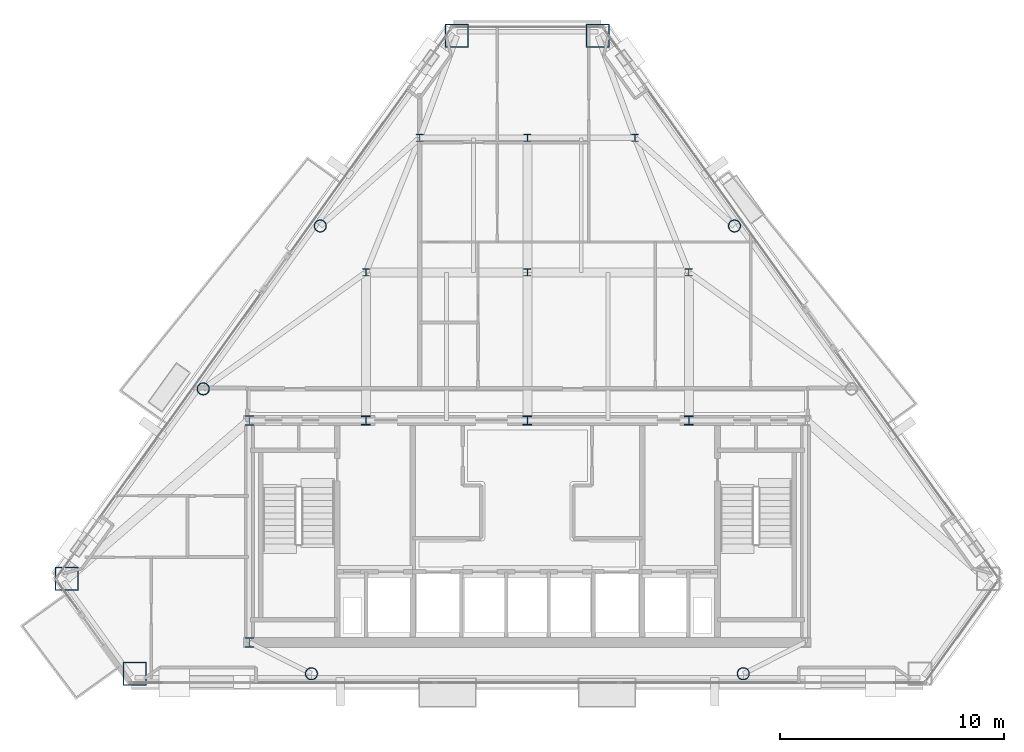
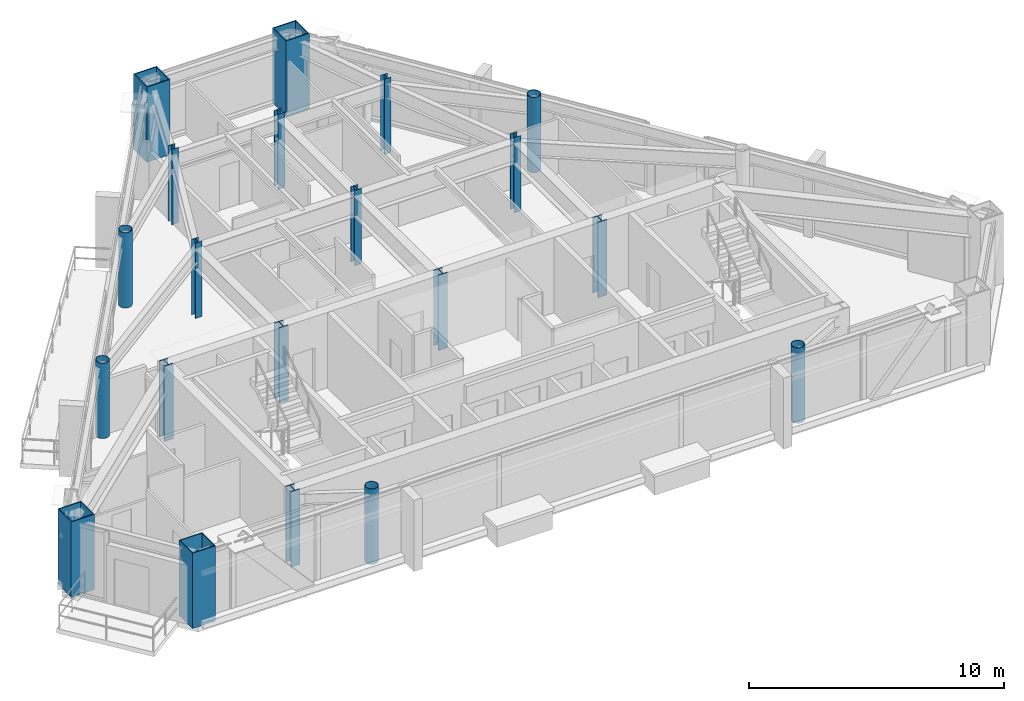
# One storey, part 1 of 11: 20 columns.
"""IFC4 building model written with IfcOpenShell, lengths in metres."""

from ifc_helpers import new_model, si_unit, direction, frame, origin, origin_2d, place, context, subcontext, project, spatial, hollow_rectangle, hollow_circle, i_section, extrude, material, material_profile, profile_set, type_object, element, save


model = new_model("IFC4")

# Units and contexts
model_context = context("Model", 3, precision=1e-05, world=origin(), true_north=direction((0.0, 1.0)))
body_context = subcontext(model_context, "Body", "Model", "MODEL_VIEW")
ifc_project = project(units=[si_unit("LENGTHUNIT", "METRE"), si_unit("AREAUNIT", "SQUARE_METRE"), si_unit("VOLUMEUNIT", "CUBIC_METRE"), si_unit("PLANEANGLEUNIT", "RADIAN"), si_unit("MASSUNIT", "GRAM", prefix="KILO")], contexts=[model_context])

# Site, building, storey
site_placement = place(None, origin())
site = spatial("IfcSite", under=ifc_project, at=site_placement, CompositionType="ELEMENT")
building_placement = place(site_placement, origin())
building = spatial("IfcBuilding", under=site, at=building_placement, Name="Talgorran Terracotta Tower", CompositionType="ELEMENT")
storey_placement = place(building_placement, frame((0.0, 0.0, 203.699951171875)))
storey = spatial("IfcBuildingStorey", under=building, at=storey_placement, Name="L53", CompositionType="ELEMENT", Elevation=203.699951171875)

# Columns
ifc_material_1 = material(Name="Steel S355 (300PLUS)", Category="steel")
ifc_material_profile_1 = material_profile(ifc_material_1, i_section(OverallWidth=0.306884765625, OverallDepth=0.314453125, WebThickness=0.011962890625, FlangeThickness=0.018798828125, at=origin_2d()), Name="310UC118")
ifc_profile_set_1 = profile_set([ifc_material_profile_1], Name="Steel S355 (300PLUS)")
column_type_1 = type_object("IfcColumnType", Name="COL_310UC118", PredefinedType="COLUMN", material=ifc_profile_set_1)
for number, where, z_axis, x_axis, name in (
    (1, (-7.199951171875, 2.39990234375, 0.0), (0.0, 0.0, 1.0), (1.0, 0.0, 0.0), "L53 Interior Gravity Column IC1"),
    (2, (0.0, 2.39990234375, 0.0), (0.0, 0.0, 1.0), (1.0, 0.0, 0.0), "L53 Interior Gravity Column IC2"),
    (3, (7.199951171875, 2.39990234375, 0.0), (0.0, 0.0, 1.0), (1.0, 0.0, 0.0), "L53 Interior Gravity Column IC3"),
    (4, (-4.800048828125, 8.39990234375, 0.0), (0.0, 0.0, 1.0), (1.0, 0.0, 0.0), "L53 Interior Gravity Column IC4"),
    (5, (0.0, 8.39990234375, 0.0), (0.0, 0.0, 1.0), (1.0, 0.0, 0.0), "L53 Interior Gravity Column IC5"),
    (6, (4.800048828125, 8.39990234375, 0.0), (0.0, 0.0, 1.0), (1.0, 0.0, 0.0), "L53 Interior Gravity Column IC6"),
):
    element("IfcColumn", number, at=place(storey_placement, frame(where, z_axis=z_axis, x_axis=x_axis)), inside=storey, type_object=column_type_1, Name=name, PredefinedType="COLUMN", context=body_context, shape_type="SweptSolid", body=[
        extrude(i_section(OverallWidth=0.306884765625, OverallDepth=0.314453125, WebThickness=0.011962890625, FlangeThickness=0.018798828125, at=origin_2d()), origin(), (0.0, 0.0, 1.0), 3.60009765625),
    ])
ifc_material_profile_2 = material_profile(ifc_material_1, i_section(OverallWidth=0.39990234375, OverallDepth=0.43994140625, WebThickness=0.028076171875, FlangeThickness=0.0400390625, at=origin_2d()), Name="400WC328")
ifc_profile_set_2 = profile_set([ifc_material_profile_2], Name="Steel S355 (300PLUS)")
column_type_2 = type_object("IfcColumnType", Name="COL_400WC328", PredefinedType="COLUMN", material=ifc_profile_set_2)
for number, where, z_axis, x_axis, name in (
    (7, (-12.39990234375, -14.10009765625, 0.0), (0.0, 0.0, 1.0), (1.0, 0.0, 0.0), "L53 Core Boundary Column CC1"),
    (8, (-12.39990234375, -4.199951171875, 0.0), (0.0, 0.0, 1.0), (1.0, 0.0, 0.0), "L53 Core Boundary Column CC4"),
):
    element("IfcColumn", number, at=place(storey_placement, frame(where, z_axis=z_axis, x_axis=x_axis)), inside=storey, type_object=column_type_2, Name=name, PredefinedType="COLUMN", context=body_context, shape_type="SweptSolid", body=[
        extrude(i_section(OverallWidth=0.39990234375, OverallDepth=0.43994140625, WebThickness=0.028076171875, FlangeThickness=0.0400390625, at=origin_2d()), origin(), (0.0, 0.0, 1.0), 3.60009765625),
    ])
ifc_material_2 = material(Name="Steel Grade 350 (350L0)", Category="steel")
ifc_material_profile_3 = material_profile(ifc_material_2, hollow_rectangle(XDim=1.050048828125, YDim=1.050048828125, WallThickness=0.044921875, at=origin_2d()), Name="CFT1050X1050X45")
ifc_profile_set_3 = profile_set([ifc_material_profile_3], Name="Steel Grade 350 (350L0)")
column_type_3 = type_object("IfcColumnType", Name="COL_CFT_1050", PredefinedType="COLUMN", material=ifc_profile_set_3)
for number, where, z_axis, x_axis, name in (
    (9, (-20.54833984375, -11.26953125, 0.0), (0.0, 0.0, 1.0), (1.0, 0.0, 0.0), "L53 Corner CFT Mega-Column MC1"),
    (10, (-17.5107421875, -15.49658203125, 0.0), (0.0, 0.0, 1.0), (1.0, 0.0, 0.0), "L53 Corner CFT Mega-Column MC2"),
    (11, (3.14453125, 12.94970703125, 0.0), (0.0, 0.0, 1.0), (1.0, 0.0, 0.0), "L53 Corner CFT Mega-Column MC5"),
    (12, (-3.14453125, 12.94970703125, 0.0), (0.0, 0.0, 1.0), (1.0, 0.0, 0.0), "L53 Corner CFT Mega-Column MC6"),
):
    element("IfcColumn", number, at=place(storey_placement, frame(where, z_axis=z_axis, x_axis=x_axis)), inside=storey, type_object=column_type_3, Name=name, PredefinedType="COLUMN", context=body_context, shape_type="SweptSolid", body=[
        extrude(hollow_rectangle(XDim=1.050048828125, YDim=1.050048828125, WallThickness=0.044921875, at=origin_2d()), origin(), (0.0, 0.0, 1.0), 3.60009765625),
    ])
ifc_material_profile_4 = material_profile(ifc_material_2, hollow_circle(Radius=0.27490234375, WallThickness=0.02392578125, at=origin_2d()), Name="CHS550X24")
ifc_profile_set_4 = profile_set([ifc_material_profile_4], Name="Steel Grade 350 (350L0)")
column_type_4 = type_object("IfcColumnType", Name="COL_CHS_550", PredefinedType="COLUMN", material=ifc_profile_set_4)
for number, where, z_axis, x_axis, name in (
    (13, (-9.630859375, -15.49658203125, 0.0), (0.0, 0.0, 1.0), (1.0, 0.0, 0.0), "L53 Facet Perimeter Column FC1"),
    (14, (9.630859375, -15.49658203125, 0.0), (0.0, 0.0, 1.0), (1.0, 0.0, 0.0), "L53 Facet Perimeter Column FC2"),
    (15, (9.23583984375, 4.472900390625, 0.0), (0.0, 0.0, 1.0), (1.0, 0.0, 0.0), "L53 Facet Perimeter Column FC4"),
    (16, (-9.23583984375, 4.472900390625, 0.0), (0.0, 0.0, 1.0), (1.0, 0.0, 0.0), "L53 Facet Perimeter Column FC5"),
    (17, (-14.45703125, -2.79296875, 0.0), (0.0, 0.0, 1.0), (1.0, 0.0, 0.0), "L53 Facet Perimeter Column FC6"),
):
    element("IfcColumn", number, at=place(storey_placement, frame(where, z_axis=z_axis, x_axis=x_axis)), inside=storey, type_object=column_type_4, Name=name, PredefinedType="COLUMN", context=body_context, shape_type="SweptSolid", body=[
        extrude(hollow_circle(Radius=0.27490234375, WallThickness=0.02392578125, at=origin_2d()), origin(), (0.0, 0.0, 1.0), 3.60009765625),
    ])
ifc_material_profile_5 = material_profile(ifc_material_1, i_section(OverallWidth=0.405029296875, OverallDepth=0.4140625, WebThickness=0.02197265625, FlangeThickness=0.031982421875, at=origin_2d()), Name="400WC270")
ifc_profile_set_5 = profile_set([ifc_material_profile_5], Name="Steel S355 (300PLUS)")
column_type_5 = type_object("IfcColumnType", Name="COL_PIL_400WC270", PredefinedType="PILASTER", material=ifc_profile_set_5)
for number, where, z_axis, x_axis, name in (
    (18, (-7.199951171875, -4.199951171875, 0.0), (0.0, 0.0, 1.0), (1.0, 0.0, 0.0), "L53 Core Shear Pilaster CP1"),
    (19, (0.0, -4.199951171875, 0.0), (0.0, 0.0, 1.0), (1.0, 0.0, 0.0), "L53 Core Shear Pilaster CP2"),
    (20, (7.199951171875, -4.199951171875, 0.0), (0.0, 0.0, 1.0), (1.0, 0.0, 0.0), "L53 Core Shear Pilaster CP3"),
):
    element("IfcColumn", number, at=place(storey_placement, frame(where, z_axis=z_axis, x_axis=x_axis)), inside=storey, type_object=column_type_5, Name=name, PredefinedType="PILASTER", context=body_context, shape_type="SweptSolid", body=[
        extrude(i_section(OverallWidth=0.405029296875, OverallDepth=0.4140625, WebThickness=0.02197265625, FlangeThickness=0.031982421875, at=origin_2d()), origin(), (0.0, 0.0, 1.0), 3.60009765625),
    ])

save(model, "model.ifc")
